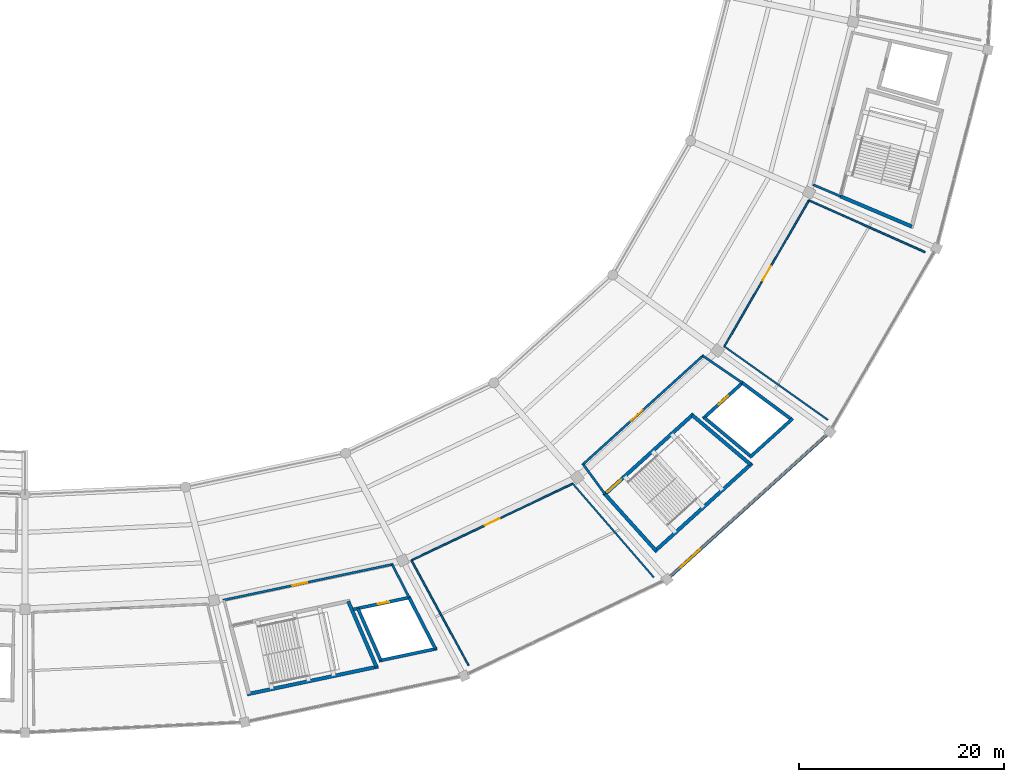
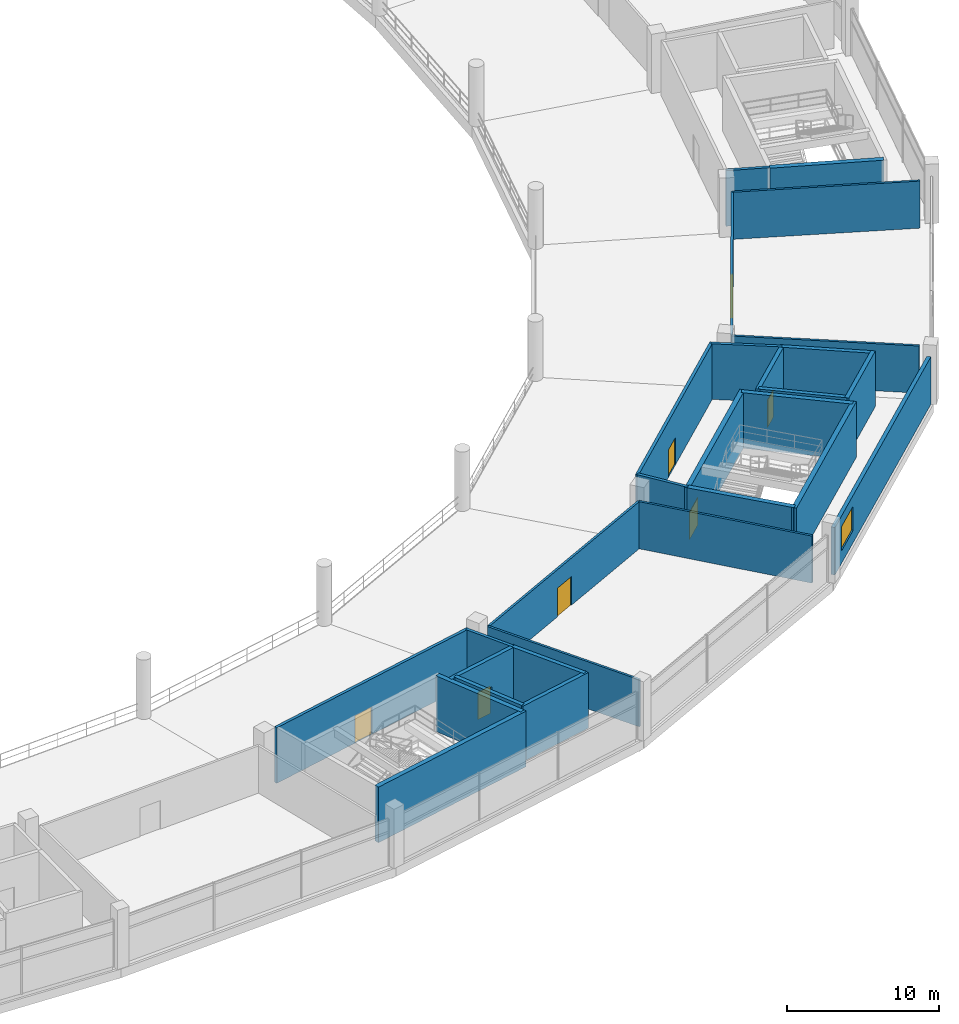
# One storey, part 133 of 171: 28 walls, 7 doors, 1 window, 8 openings.
"""IFC4 building model written with IfcOpenShell, lengths in metres."""

from ifc_helpers import new_model, si_unit, direction, frame, frame_2d, origin, place, context, subcontext, project, spatial, rectangle, extrude, material, layer, layer_set, type_object, element, fill, save


model = new_model("IFC4")

# Units and contexts
model_context = context("Model", 3, precision=1e-05, world=origin(), true_north=direction((0.0, 1.0)))
body_context = subcontext(model_context, "Body", "Model", "MODEL_VIEW")
ifc_project = project(units=[si_unit("LENGTHUNIT", "METRE"), si_unit("AREAUNIT", "SQUARE_METRE"), si_unit("VOLUMEUNIT", "CUBIC_METRE"), si_unit("PLANEANGLEUNIT", "RADIAN"), si_unit("MASSUNIT", "GRAM", prefix="KILO")], contexts=[model_context])

# Site, building, storey
site_placement = place(None, origin())
site = spatial("IfcSite", under=ifc_project, at=site_placement, CompositionType="ELEMENT")
building_placement = place(site_placement, origin())
building = spatial("IfcBuilding", under=site, at=building_placement, Name="Kazemori Nagisa Stadium", CompositionType="ELEMENT")
storey_placement = place(building_placement, frame((0.0, 0.0, 15.639892578125)))
storey = spatial("IfcBuildingStorey", under=building, at=storey_placement, Name="L03", CompositionType="ELEMENT", Elevation=15.639892578125)

# Walls
ifc_material_1 = material(Name="Concrete C40/50 (Fc42)", Category="concrete")
ifc_layer_1 = layer(ifc_material_1, 0.35009765625, Name="Concrete C40/50 (Fc42)", Category="concrete")
ifc_layer_set_1 = layer_set([ifc_layer_1], Name="Concrete C40/50 (Fc42)")
wall_type_1 = type_object("IfcWallType", Name="Wall_W-CORE-350", PredefinedType="SHEAR", material=ifc_layer_set_1)
wall_1_placement = place(storey_placement, frame((144.650390625, 19.745849609375, 0.0), z_axis=(0.0, 0.0, 1.0), x_axis=(0.978345119536, 0.206980257705, 0.0)))
element("IfcWall", 1, at=wall_1_placement, inside=storey, type_object=wall_type_1, Name="Core stair rear shear wall ST06 L03", PredefinedType="SHEAR", context=body_context, shape_type="SweptSolid", body=[
    extrude(rectangle(XDim=13.06689453125, YDim=0.35009765625, at=frame_2d((6.533447265625, 0.0))), origin(), (0.0, 0.0, 1.0), 4.460205078125),
])
wall_2_placement = place(storey_placement, frame((154.5078125, 28.81396484375, 0.0), z_axis=(0.0, 0.0, 1.0), x_axis=(0.395453834155, -0.918485854574, 0.0)))
element("IfcWall", 2, at=wall_2_placement, inside=storey, type_object=wall_type_1, Name="Core stair right shear wall ST06 L03", PredefinedType="SHEAR", context=body_context, shape_type="SweptSolid", body=[
    extrude(rectangle(XDim=6.967529296875, YDim=0.35009765625, at=frame_2d((3.48388671875, 0.0))), origin(), (0.0, 0.0, 1.0), 4.460205078125),
])

# Wall, opening, door
wall_3_placement = place(storey_placement, frame((179.416748046875, 39.139892578125, 0.0), z_axis=(0.0, 0.0, 1.0), x_axis=(0.741348929385, 0.671119784315, 0.0)))
wall_3 = element("IfcWall", 3, at=wall_3_placement, inside=storey, type_object=wall_type_1, Name="Core stair front shear wall ST04 L03", PredefinedType="SHEAR", context=body_context, shape_type="SweptSolid", body=[
    extrude(rectangle(XDim=11.826416015625, YDim=0.35009765625, at=frame_2d((5.9130859375, 0.0))), origin(), (0.0, 0.0, 1.0), 4.460205078125),
])
opening_1_placement = place(wall_3_placement, frame((0.47509765625, 0.0, 0.0)))
opening_1 = element("IfcOpeningElement", 4, at=opening_1_placement, cuts=wall_3, Name="Opening D-ST-1800", PredefinedType="OPENING", context=body_context, shape_type="SweptSolid", body=[
    extrude(rectangle(XDim=1.800048828125, YDim=2.199951171875, at=frame_2d((0.89990234375, 1.10009765625))), frame((0.0, 0.18505859375, 0.0), z_axis=(0.0, -1.0, 0.0), x_axis=(1.0, 0.0, 0.0)), (0.0, 0.0, 1.0), 0.3701171875),
])
ifc_material_2 = material(Name="Galvanised steel sheet", Category="steel")
door_type_1 = type_object("IfcDoorType", Name="Door_D-ST-1800", OperationType="NOTDEFINED", PredefinedType="DOOR", material=ifc_material_2)
door_1_placement = place(opening_1_placement, frame((1.800048828125, 0.0, 0.0), z_axis=(0.0, 0.0, 1.0), x_axis=(-1.0, 0.0, 0.0)))
door_1 = element("IfcDoor", 5, at=door_1_placement, inside=storey, type_object=door_type_1, Name="Exit stair fire door ST04-L03", OperationType="SINGLE_SWING_RIGHT", OverallHeight=2.199951171875, OverallWidth=1.800048828125, PredefinedType="DOOR", context=body_context, shape_type="SweptSolid", body=[
    extrude(rectangle(XDim=1.800048828125, YDim=2.199951171875, at=frame_2d((0.89990234375, 1.10009765625))), frame((0.0, 0.02490234375, 0.0), z_axis=(0.0, -1.0, 0.0), x_axis=(1.0, 0.0, 0.0)), (0.0, 0.0, 1.0), 0.050048828125),
])
fill(opening_1, door_1)

# Walls
wall_4_placement = place(storey_placement, frame((184.361328125, 33.6533203125, 0.0), z_axis=(0.0, 0.0, 1.0), x_axis=(0.741351373721, 0.671117084183, 0.0)))
element("IfcWall", 6, at=wall_4_placement, inside=storey, type_object=wall_type_1, Name="Core stair rear shear wall ST04 L03", PredefinedType="SHEAR", context=body_context, shape_type="SweptSolid", body=[
    extrude(rectangle(XDim=12.830322265625, YDim=0.35009765625, at=frame_2d((6.4150390625, 0.0))), origin(), (0.0, 0.0, 1.0), 4.460205078125),
])
wall_5_placement = place(storey_placement, frame((179.54638671875, 39.25732421875, 0.0), z_axis=(0.0, 0.0, 1.0), x_axis=(0.669463145673, -0.742845270958, 0.0)))
element("IfcWall", 7, at=wall_5_placement, inside=storey, type_object=wall_type_1, Name="Core stair left shear wall ST04 L03", PredefinedType="SHEAR", context=body_context, shape_type="SweptSolid", body=[
    extrude(rectangle(XDim=7.385986328125, YDim=0.35009765625, at=frame_2d((3.69287109375, 0.0))), origin(), (0.0, 0.0, 1.0), 4.460205078125),
])
wall_6_placement = place(storey_placement, frame((188.0546875, 46.95947265625, 0.0), z_axis=(0.0, 0.0, 1.0), x_axis=(0.763422324031, -0.64589964791, 0.0)))
element("IfcWall", 8, at=wall_6_placement, inside=storey, type_object=wall_type_1, Name="Core stair right shear wall ST04 L03", PredefinedType="SHEAR", context=body_context, shape_type="SweptSolid", body=[
    extrude(rectangle(XDim=7.45166015625, YDim=0.35009765625, at=frame_2d((3.725830078125, 0.0))), origin(), (0.0, 0.0, 1.0), 4.460205078125),
])
wall_7_placement = place(storey_placement, frame((202.508056640625, 68.298583984375, 0.0), z_axis=(0.0, 0.0, 1.0), x_axis=(0.920704667209, -0.390260061728, 0.0)))
element("IfcWall", 9, at=wall_7_placement, inside=storey, type_object=wall_type_1, Name="Core stair left shear wall ST10 L03", PredefinedType="SHEAR", context=body_context, shape_type="SweptSolid", body=[
    extrude(rectangle(XDim=7.551513671875, YDim=0.35009765625, at=frame_2d((3.77587890625, 0.0))), origin(), (0.0, 0.0, 1.0), 4.460205078125),
])

# Wall, opening, window
ifc_material_3 = material(Name="Concrete C40/50 (Fc42) precast", Category="concrete")
ifc_layer_2 = layer(ifc_material_3, 0.27490234375, Name="Concrete C40/50 (Fc42) precast", Category="concrete")
ifc_layer_set_2 = layer_set([ifc_layer_2], Name="Concrete C40/50 (Fc42) precast")
wall_type_2 = type_object("IfcWallType", Name="Wall_W-EXT-275", PredefinedType="SOLIDWALL", material=ifc_layer_set_2)
wall_8_placement = place(storey_placement, frame((185.924072265625, 31.236328125, 0.0), z_axis=(0.0, 0.0, 1.0), x_axis=(0.741352367697, 0.671115986183, 0.0)))
wall_8 = element("IfcWall", 10, at=wall_8_placement, inside=storey, type_object=wall_type_2, Name="Exterior facade wall L03-25", PredefinedType="SOLIDWALL", context=body_context, shape_type="SweptSolid", body=[
    extrude(rectangle(XDim=20.56396484375, YDim=0.27490234375, at=frame_2d((10.281982421875, 0.0))), origin(), (0.0, 0.0, 1.0), 3.81005859375),
])
opening_2_placement = place(wall_8_placement, frame((1.39990234375, 0.0, 1.0)))
opening_2 = element("IfcOpeningElement", 11, at=opening_2_placement, cuts=wall_8, Name="Opening WIN-L03-2500", PredefinedType="OPENING", context=body_context, shape_type="SweptSolid", body=[
    extrude(rectangle(XDim=2.5, YDim=1.949951171875, at=frame_2d((1.25, 0.97509765625))), frame((0.0, 0.1474609375, 0.0), z_axis=(0.0, -1.0, 0.0), x_axis=(1.0, 0.0, 0.0)), (0.0, 0.0, 1.0), 0.294921875),
])
ifc_material_4 = material(Name="Low-e laminated double glazing", Category="glass")
window_type = type_object("IfcWindowType", Name="Window_WIN-L03-2500", PartitioningType="SINGLE_PANEL", PredefinedType="WINDOW", material=ifc_material_4)
window_placement = place(opening_2_placement, origin())
window = element("IfcWindow", 12, at=window_placement, inside=storey, type_object=window_type, Name="Core lobby window L03-25", OverallHeight=1.949951171875, OverallWidth=2.5, PartitioningType="SINGLE_PANEL", PredefinedType="WINDOW", context=body_context, shape_type="SweptSolid", body=[
    extrude(rectangle(XDim=2.5, YDim=1.949951171875, at=frame_2d((1.25, 0.97509765625))), frame((0.0, 0.030029296875, 0.0), z_axis=(0.0, -1.0, 0.0), x_axis=(1.0, 0.0, 0.0)), (0.0, 0.0, 1.0), 0.06005859375),
])
fill(opening_2, window)

# Wall, opening, door
ifc_material_5 = material(Name="Concrete C36/45 (Fc36)", Category="concrete")
ifc_layer_3 = layer(ifc_material_5, 0.219970703125, Name="Concrete C36/45 (Fc36)", Category="concrete")
ifc_layer_set_3 = layer_set([ifc_layer_3], Name="Concrete C36/45 (Fc36)")
wall_type_3 = type_object("IfcWallType", Name="Wall_W-LOBBY-220", PredefinedType="SOLIDWALL", material=ifc_layer_set_3)
wall_9_placement = place(storey_placement, frame((142.284423828125, 28.91357421875, 0.0), z_axis=(0.0, 0.0, 1.0), x_axis=(0.97834522483, 0.206979760008, 0.0)))
wall_9 = element("IfcWall", 13, at=wall_9_placement, inside=storey, type_object=wall_type_3, Name="Core lobby fire wall ST06 L03", PredefinedType="SOLIDWALL", context=body_context, shape_type="SweptSolid", body=[
    extrude(rectangle(XDim=16.98291015625, YDim=0.219970703125, at=frame_2d((8.491455078125, 0.0))), origin(), (0.0, 0.0, 1.0), 4.460205078125),
])
opening_3_placement = place(wall_9_placement, frame((6.903076171875, 0.0, 0.0)))
opening_3 = element("IfcOpeningElement", 14, at=opening_3_placement, cuts=wall_9, Name="Opening D-FFL-1500", PredefinedType="OPENING", context=body_context, shape_type="SweptSolid", body=[
    extrude(rectangle(XDim=1.5, YDim=2.199951171875, at=frame_2d((0.75, 1.10009765625))), frame((0.0, 0.119873046875, 0.0), z_axis=(0.0, -1.0, 0.0), x_axis=(1.0, 0.0, 0.0)), (0.0, 0.0, 1.0), 0.239990234375),
])
door_type_2 = type_object("IfcDoorType", Name="Door_D-FFL-1500", OperationType="NOTDEFINED", PredefinedType="DOOR", material=ifc_material_2)
door_2_placement = place(opening_3_placement, frame((1.5, 0.0, 0.0), z_axis=(0.0, 0.0, 1.0), x_axis=(-1.0, 0.0, 0.0)))
door_2 = element("IfcDoor", 15, at=door_2_placement, inside=storey, type_object=door_type_2, Name="Protected lobby fire door ST06-L03", OperationType="DOUBLE_DOOR_SINGLE_SWING", OverallHeight=2.199951171875, OverallWidth=1.5, PredefinedType="DOOR", context=body_context, shape_type="SweptSolid", body=[
    extrude(rectangle(XDim=1.5, YDim=2.199951171875, at=frame_2d((0.75, 1.10009765625))), frame((0.0, 0.02490234375, 0.0), z_axis=(0.0, -1.0, 0.0), x_axis=(1.0, 0.0, 0.0)), (0.0, 0.0, 1.0), 0.050048828125),
])
fill(opening_3, door_2)

# Wall
wall_10_placement = place(storey_placement, frame((158.7919921875, 32.406005859375, 0.0), z_axis=(0.0, 0.0, 1.0), x_axis=(0.457349531643, -0.889287021105, 0.0)))
element("IfcWall", 16, at=wall_10_placement, inside=storey, type_object=wall_type_3, Name="Core lobby right wall ST06 L03", PredefinedType="SOLIDWALL", context=body_context, shape_type="SweptSolid", body=[
    extrude(rectangle(XDim=3.631591796875, YDim=0.219970703125, at=frame_2d((1.81591796875, 0.0))), origin(), (0.0, 0.0, 1.0), 4.460205078125),
])

# Wall, opening, door
wall_11_placement = place(storey_placement, frame((177.327392578125, 42.10205078125, 0.0), z_axis=(0.0, 0.0, 1.0), x_axis=(0.741351035574, 0.671117457717, 0.0)))
wall_11 = element("IfcWall", 17, at=wall_11_placement, inside=storey, type_object=wall_type_3, Name="Core lobby fire wall ST04 L03", PredefinedType="SOLIDWALL", context=body_context, shape_type="SweptSolid", body=[
    extrude(rectangle(XDim=15.96923828125, YDim=0.219970703125, at=frame_2d((7.984619140625, 0.0))), origin(), (0.0, 0.0, 1.0), 4.460205078125),
])
opening_4_placement = place(wall_11_placement, frame((6.447021484375, 0.0, 0.0)))
opening_4 = element("IfcOpeningElement", 18, at=opening_4_placement, cuts=wall_11, Name="Opening D-FFL-1500", PredefinedType="OPENING", context=body_context, shape_type="SweptSolid", body=[
    extrude(rectangle(XDim=1.5, YDim=2.199951171875, at=frame_2d((0.75, 1.10009765625))), frame((0.0, 0.119873046875, 0.0), z_axis=(0.0, -1.0, 0.0), x_axis=(1.0, 0.0, 0.0)), (0.0, 0.0, 1.0), 0.239990234375),
])
door_3_placement = place(opening_4_placement, frame((1.5, 0.0, 0.0), z_axis=(0.0, 0.0, 1.0), x_axis=(-1.0, 0.0, 0.0)))
door_3 = element("IfcDoor", 19, at=door_3_placement, inside=storey, type_object=door_type_2, Name="Protected lobby fire door ST04-L03", OperationType="DOUBLE_DOOR_SINGLE_SWING", OverallHeight=2.199951171875, OverallWidth=1.5, PredefinedType="DOOR", context=body_context, shape_type="SweptSolid", body=[
    extrude(rectangle(XDim=1.5, YDim=2.199951171875, at=frame_2d((0.75, 1.10009765625))), frame((0.0, 0.02490234375, 0.0), z_axis=(0.0, -1.0, 0.0), x_axis=(1.0, 0.0, 0.0)), (0.0, 0.0, 1.0), 0.050048828125),
])
fill(opening_4, door_3)

# Walls
wall_12_placement = place(storey_placement, frame((177.408935546875, 42.176025390625, 0.0), z_axis=(0.0, 0.0, 1.0), x_axis=(0.590836915359, -0.806791013491, 0.0)))
element("IfcWall", 20, at=wall_12_placement, inside=storey, type_object=wall_type_3, Name="Core lobby left wall ST04 L03", PredefinedType="SOLIDWALL", context=body_context, shape_type="SweptSolid", body=[
    extrude(rectangle(XDim=3.61767578125, YDim=0.219970703125, at=frame_2d((1.808837890625, 0.0))), origin(), (0.0, 0.0, 1.0), 4.460205078125),
])
wall_13_placement = place(storey_placement, frame((189.084716796875, 52.74560546875, 0.0), z_axis=(0.0, 0.0, 1.0), x_axis=(0.825385410642, -0.564569680287, 0.0)))
element("IfcWall", 21, at=wall_13_placement, inside=storey, type_object=wall_type_3, Name="Core lobby right wall ST04 L03", PredefinedType="SOLIDWALL", context=body_context, shape_type="SweptSolid", body=[
    extrude(rectangle(XDim=4.673828125, YDim=0.219970703125, at=frame_2d((2.3369140625, 0.0))), origin(), (0.0, 0.0, 1.0), 4.460205078125),
])
wall_14_placement = place(storey_placement, frame((199.834228515625, 69.431884765625, 0.0), z_axis=(0.0, 0.0, 1.0), x_axis=(0.920711790761, -0.390243255361, 0.0)))
element("IfcWall", 22, at=wall_14_placement, inside=storey, type_object=wall_type_3, Name="Core lobby left wall ST10 L03", PredefinedType="SOLIDWALL", context=body_context, shape_type="SweptSolid", body=[
    extrude(rectangle(XDim=2.904052734375, YDim=0.219970703125, at=frame_2d((1.4521484375, 0.0))), origin(), (0.0, 0.0, 1.0), 4.460205078125),
])

# Wall, opening, door
ifc_material_6 = material(Name="Gypsum plasterboard", Category="gypsum")
ifc_layer_4 = layer(ifc_material_6, 0.1650390625, Name="Gypsum plasterboard", Category="gypsum")
ifc_layer_set_4 = layer_set([ifc_layer_4], Name="Gypsum plasterboard")
wall_type_4 = type_object("IfcWallType", Name="Wall_W-PART-165", PredefinedType="PARTITIONING", material=ifc_layer_set_4)
wall_15_placement = place(storey_placement, frame((160.667236328125, 32.803955078125, 0.0), z_axis=(0.0, 0.0, 1.0), x_axis=(0.903217202186, 0.429183743488, 0.0)))
wall_15 = element("IfcWall", 23, at=wall_15_placement, inside=storey, type_object=wall_type_4, Name="Room corridor partition L03-B24", PredefinedType="PARTITIONING", context=body_context, shape_type="SweptSolid", body=[
    extrude(rectangle(XDim=17.419189453125, YDim=0.1650390625, at=frame_2d((8.70947265625, 0.0))), origin(), (0.0, 0.0, 1.0), 3.780029296875),
])
opening_5_placement = place(wall_15_placement, frame((7.909912109375, 0.0, 0.0)))
opening_5 = element("IfcOpeningElement", 24, at=opening_5_placement, cuts=wall_15, Name="Opening D-LNG-1600", PredefinedType="OPENING", context=body_context, shape_type="SweptSolid", body=[
    extrude(rectangle(XDim=1.60009765625, YDim=2.300048828125, at=frame_2d((0.800048828125, 1.14990234375))), frame((0.0, 0.092529296875, 0.0), z_axis=(0.0, -1.0, 0.0), x_axis=(1.0, 0.0, 0.0)), (0.0, 0.0, 1.0), 0.18505859375),
])
ifc_material_7 = material(Name="Anodised aluminium 6063-T5", Category="aluminium")
door_type_3 = type_object("IfcDoorType", Name="Door_D-LNG-1600", OperationType="NOTDEFINED", PredefinedType="DOOR", material=ifc_material_7)
door_4_placement = place(opening_5_placement, origin())
door_4 = element("IfcDoor", 25, at=door_4_placement, inside=storey, type_object=door_type_3, Name="Room entrance door D-LNG-1600 L03-B24", OperationType="DOUBLE_DOOR_SINGLE_SWING", OverallHeight=2.300048828125, OverallWidth=1.60009765625, PredefinedType="DOOR", context=body_context, shape_type="SweptSolid", body=[
    extrude(rectangle(XDim=1.60009765625, YDim=2.300048828125, at=frame_2d((0.800048828125, 1.14990234375))), frame((0.0, 0.02490234375, 0.0), z_axis=(0.0, -1.0, 0.0), x_axis=(1.0, 0.0, 0.0)), (0.0, 0.0, 1.0), 0.050048828125),
])
fill(opening_5, door_4)

# Walls
wall_16_placement = place(storey_placement, frame((160.667236328125, 32.803955078125, 0.0), z_axis=(0.0, 0.0, 1.0), x_axis=(0.478125060974, -0.878291765912, 0.0)))
element("IfcWall", 26, at=wall_16_placement, inside=storey, type_object=wall_type_4, Name="Room radial partition L03-B24-L", PredefinedType="PARTITIONING", context=body_context, shape_type="SweptSolid", body=[
    extrude(rectangle(XDim=11.671875, YDim=0.1650390625, at=frame_2d((5.8359375, 0.0))), origin(), (0.0, 0.0, 1.0), 3.780029296875),
])
wall_17_placement = place(storey_placement, frame((176.400634765625, 40.280029296875, 0.0), z_axis=(0.0, 0.0, 1.0), x_axis=(0.654293035882, -0.756241114458, 0.0)))
element("IfcWall", 27, at=wall_17_placement, inside=storey, type_object=wall_type_4, Name="Room radial partition L03-B24-R", PredefinedType="PARTITIONING", context=body_context, shape_type="SweptSolid", body=[
    extrude(rectangle(XDim=12.091064453125, YDim=0.1650390625, at=frame_2d((6.04541015625, 0.0))), origin(), (0.0, 0.0, 1.0), 3.780029296875),
])

# Wall, opening, door
wall_18_placement = place(storey_placement, frame((191.178955078125, 53.658447265625, 0.0), z_axis=(0.0, 0.0, 1.0), x_axis=(0.501617777052, 0.865089362867, 0.0)))
wall_18 = element("IfcWall", 28, at=wall_18_placement, inside=storey, type_object=wall_type_4, Name="Room corridor partition L03-B26", PredefinedType="PARTITIONING", context=body_context, shape_type="SweptSolid", body=[
    extrude(rectangle(XDim=16.4638671875, YDim=0.1650390625, at=frame_2d((8.23193359375, 0.0))), origin(), (0.0, 0.0, 1.0), 3.780029296875),
])
opening_6_placement = place(wall_18_placement, frame((7.431884765625, 0.0, 0.0)))
opening_6 = element("IfcOpeningElement", 29, at=opening_6_placement, cuts=wall_18, Name="Opening D-LNG-1600", PredefinedType="OPENING", context=body_context, shape_type="SweptSolid", body=[
    extrude(rectangle(XDim=1.60009765625, YDim=2.300048828125, at=frame_2d((0.800048828125, 1.14990234375))), frame((0.0, 0.092529296875, 0.0), z_axis=(0.0, -1.0, 0.0), x_axis=(1.0, 0.0, 0.0)), (0.0, 0.0, 1.0), 0.18505859375),
])
door_5_placement = place(opening_6_placement, origin())
door_5 = element("IfcDoor", 30, at=door_5_placement, inside=storey, type_object=door_type_3, Name="Room entrance door D-LNG-1600 L03-B26", OperationType="DOUBLE_DOOR_SINGLE_SWING", OverallHeight=2.300048828125, OverallWidth=1.60009765625, PredefinedType="DOOR", context=body_context, shape_type="SweptSolid", body=[
    extrude(rectangle(XDim=1.60009765625, YDim=2.300048828125, at=frame_2d((0.800048828125, 1.14990234375))), frame((0.0, 0.02490234375, 0.0), z_axis=(0.0, -1.0, 0.0), x_axis=(1.0, 0.0, 0.0)), (0.0, 0.0, 1.0), 0.050048828125),
])
fill(opening_6, door_5)

# Walls
wall_19_placement = place(storey_placement, frame((191.178955078125, 53.658447265625, 0.0), z_axis=(0.0, 0.0, 1.0), x_axis=(0.815753527099, -0.578399674122, 0.0)))
element("IfcWall", 31, at=wall_19_placement, inside=storey, type_object=wall_type_4, Name="Room radial partition L03-B26-L", PredefinedType="PARTITIONING", context=body_context, shape_type="SweptSolid", body=[
    extrude(rectangle(XDim=12.38232421875, YDim=0.1650390625, at=frame_2d((6.191162109375, 0.0))), origin(), (0.0, 0.0, 1.0), 3.780029296875),
])
wall_20_placement = place(storey_placement, frame((199.4375, 67.901123046875, 0.0), z_axis=(0.0, 0.0, 1.0), x_axis=(0.913245562849, -0.407409550621, 0.0)))
element("IfcWall", 32, at=wall_20_placement, inside=storey, type_object=wall_type_4, Name="Room radial partition L03-B26-R", PredefinedType="PARTITIONING", context=body_context, shape_type="SweptSolid", body=[
    extrude(rectangle(XDim=12.399658203125, YDim=0.1650390625, at=frame_2d((6.19970703125, 0.0))), origin(), (0.0, 0.0, 1.0), 3.780029296875),
])

# Wall, opening, door
ifc_layer_5 = layer(ifc_material_1, 0.300048828125, Name="Concrete C40/50 (Fc42)", Category="concrete")
ifc_layer_set_5 = layer_set([ifc_layer_5], Name="Concrete C40/50 (Fc42)")
wall_type_5 = type_object("IfcWallType", Name="Wall_W-SHAFT-300", PredefinedType="SHEAR", material=ifc_layer_set_5)
wall_21_placement = place(storey_placement, frame((154.999267578125, 28.022705078125, 0.0), z_axis=(0.0, 0.0, 1.0), x_axis=(0.978345218992, 0.206979787601, 0.0)))
wall_21 = element("IfcWall", 33, at=wall_21_placement, inside=storey, type_object=wall_type_5, Name="Lift shaft front wall LP2 L03", PredefinedType="SHEAR", context=body_context, shape_type="SweptSolid", body=[
    extrude(rectangle(XDim=5.724365234375, YDim=0.300048828125, at=frame_2d((2.8623046875, 0.0))), origin(), (0.0, 0.0, 1.0), 4.460205078125),
])
opening_7_placement = place(wall_21_placement, frame((2.4619140625, 0.0, 0.0)))
opening_7 = element("IfcOpeningElement", 34, at=opening_7_placement, cuts=wall_21, Name="Opening LD-PAX", PredefinedType="OPENING", context=body_context, shape_type="SweptSolid", body=[
    extrude(rectangle(XDim=1.10009765625, YDim=2.199951171875, at=frame_2d((0.550048828125, 1.10009765625))), frame((0.0, 0.159912109375, 0.0), z_axis=(0.0, -1.0, 0.0), x_axis=(1.0, 0.0, 0.0)), (0.0, 0.0, 1.0), 0.320068359375),
])
ifc_material_8 = material(Name="Stainless steel SUS304", Category="steel")
door_type_4 = type_object("IfcDoorType", Name="Door_LD-PAX", OperationType="SLIDING_TO_RIGHT", PredefinedType="DOOR", material=ifc_material_8)
door_6_placement = place(opening_7_placement, origin())
door_6 = element("IfcDoor", 35, at=door_6_placement, inside=storey, type_object=door_type_4, Name="Lift landing door LP2-L03", OperationType="SLIDING_TO_RIGHT", OverallHeight=2.199951171875, OverallWidth=1.10009765625, PredefinedType="DOOR", context=body_context, shape_type="SweptSolid", body=[
    extrude(rectangle(XDim=1.10009765625, YDim=2.199951171875, at=frame_2d((0.550048828125, 1.10009765625))), frame((0.0, 0.02490234375, 0.0), z_axis=(0.0, -1.0, 0.0), x_axis=(1.0, 0.0, 0.0)), (0.0, 0.0, 1.0), 0.050048828125),
])
fill(opening_7, door_6)

# Walls
wall_22_placement = place(storey_placement, frame((157.522705078125, 23.00634765625, 0.0), z_axis=(0.0, 0.0, 1.0), x_axis=(0.978347069901, 0.206971038591, 0.0)))
element("IfcWall", 36, at=wall_22_placement, inside=storey, type_object=wall_type_5, Name="Lift shaft B wall LP2 L03", PredefinedType="SHEAR", context=body_context, shape_type="SweptSolid", body=[
    extrude(rectangle(XDim=5.7763671875, YDim=0.300048828125, at=frame_2d((2.88818359375, 0.0))), origin(), (0.0, 0.0, 1.0), 4.460205078125),
])
wall_23_placement = place(storey_placement, frame((155.439697265625, 28.115966796875, 0.0), z_axis=(0.0, 0.0, 1.0), x_axis=(0.402005363577, -0.915637312289, 0.0)))
element("IfcWall", 37, at=wall_23_placement, inside=storey, type_object=wall_type_5, Name="Lift shaft L wall LP2 L03", PredefinedType="SHEAR", context=body_context, shape_type="SweptSolid", body=[
    extrude(rectangle(XDim=5.546630859375, YDim=0.300048828125, at=frame_2d((2.7734375, 0.0))), origin(), (0.0, 0.0, 1.0), 4.460205078125),
])
wall_24_placement = place(storey_placement, frame((160.452880859375, 29.176513671875, 0.0), z_axis=(0.0, 0.0, 1.0), x_axis=(0.457368592987, -0.889277217829, 0.0)))
element("IfcWall", 38, at=wall_24_placement, inside=storey, type_object=wall_type_5, Name="Lift shaft R wall LP2 L03", PredefinedType="SHEAR", context=body_context, shape_type="SweptSolid", body=[
    extrude(rectangle(XDim=5.62890625, YDim=0.300048828125, at=frame_2d((2.814453125, 0.0))), origin(), (0.0, 0.0, 1.0), 4.460205078125),
])

# Wall, opening, door
wall_25_placement = place(storey_placement, frame((189.10302734375, 46.631103515625, 0.0), z_axis=(0.0, 0.0, 1.0), x_axis=(0.741350155641, 0.671118429736, 0.0)))
wall_25 = element("IfcWall", 39, at=wall_25_placement, inside=storey, type_object=wall_type_5, Name="Lift shaft front wall FL4 L03", PredefinedType="SHEAR", context=body_context, shape_type="SweptSolid", body=[
    extrude(rectangle(XDim=5.3291015625, YDim=0.300048828125, at=frame_2d((2.66455078125, 0.0))), origin(), (0.0, 0.0, 1.0), 4.460205078125),
])
opening_8_placement = place(wall_25_placement, frame((2.06494140625, 0.0, 0.0)))
opening_8 = element("IfcOpeningElement", 40, at=opening_8_placement, cuts=wall_25, Name="Opening LD-FF", PredefinedType="OPENING", context=body_context, shape_type="SweptSolid", body=[
    extrude(rectangle(XDim=1.199951171875, YDim=2.199951171875, at=frame_2d((0.60009765625, 1.10009765625))), frame((0.0, 0.159912109375, 0.0), z_axis=(0.0, -1.0, 0.0), x_axis=(1.0, 0.0, 0.0)), (0.0, 0.0, 1.0), 0.320068359375),
])
door_type_5 = type_object("IfcDoorType", Name="Door_LD-FF", OperationType="SLIDING_TO_LEFT", PredefinedType="DOOR", material=ifc_material_8)
door_7_placement = place(opening_8_placement, origin())
door_7 = element("IfcDoor", 41, at=door_7_placement, inside=storey, type_object=door_type_5, Name="Lift landing door FL4-L03", OperationType="SLIDING_TO_LEFT", OverallHeight=2.199951171875, OverallWidth=1.199951171875, PredefinedType="DOOR", context=body_context, shape_type="SweptSolid", body=[
    extrude(rectangle(XDim=1.199951171875, YDim=2.199951171875, at=frame_2d((0.60009765625, 1.10009765625))), frame((0.0, 0.02490234375, 0.0), z_axis=(0.0, -1.0, 0.0), x_axis=(1.0, 0.0, 0.0)), (0.0, 0.0, 1.0), 0.050048828125),
])
fill(opening_8, door_7)

# Walls
wall_26_placement = place(storey_placement, frame((193.654296875, 42.832275390625, 0.0), z_axis=(0.0, 0.0, 1.0), x_axis=(0.74134208775, 0.671127341815, 0.0)))
element("IfcWall", 42, at=wall_26_placement, inside=storey, type_object=wall_type_5, Name="Lift shaft B wall FL4 L03", PredefinedType="SHEAR", context=body_context, shape_type="SweptSolid", body=[
    extrude(rectangle(XDim=5.674560546875, YDim=0.300048828125, at=frame_2d((2.83740234375, 0.0))), origin(), (0.0, 0.0, 1.0), 4.460205078125),
])
wall_27_placement = place(storey_placement, frame((189.214111328125, 46.73193359375, 0.0), z_axis=(0.0, 0.0, 1.0), x_axis=(0.767711354146, -0.640795815151, 0.0)))
element("IfcWall", 43, at=wall_27_placement, inside=storey, type_object=wall_type_5, Name="Lift shaft L wall FL4 L03", PredefinedType="SHEAR", context=body_context, shape_type="SweptSolid", body=[
    extrude(rectangle(XDim=5.9287109375, YDim=0.300048828125, at=frame_2d((2.96435546875, 0.0))), origin(), (0.0, 0.0, 1.0), 4.460205078125),
])
wall_28_placement = place(storey_placement, frame((192.9423828125, 50.10693359375, 0.0), z_axis=(0.0, 0.0, 1.0), x_axis=(0.803101805449, -0.59584183311, 0.0)))
element("IfcWall", 44, at=wall_28_placement, inside=storey, type_object=wall_type_5, Name="Lift shaft R wall FL4 L03", PredefinedType="SHEAR", context=body_context, shape_type="SweptSolid", body=[
    extrude(rectangle(XDim=5.986328125, YDim=0.300048828125, at=frame_2d((2.9931640625, 0.0))), origin(), (0.0, 0.0, 1.0), 4.460205078125),
])

save(model, "model.ifc")
